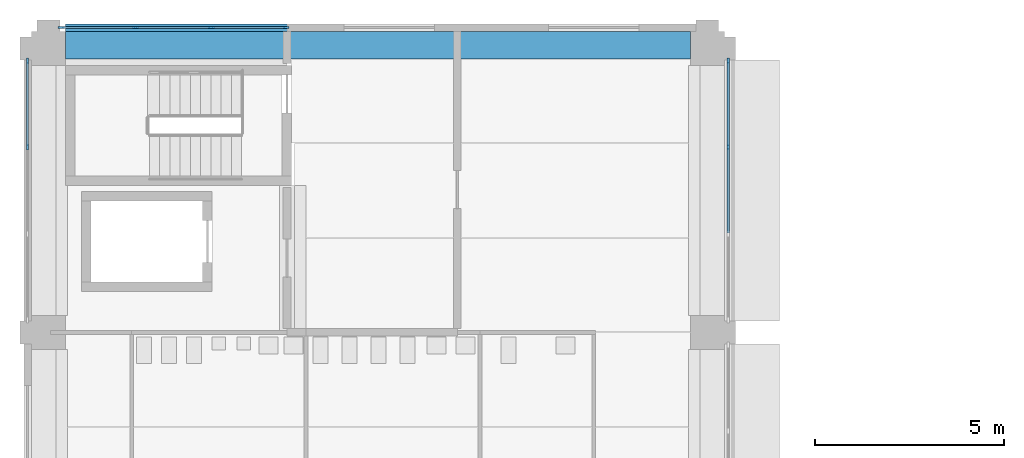
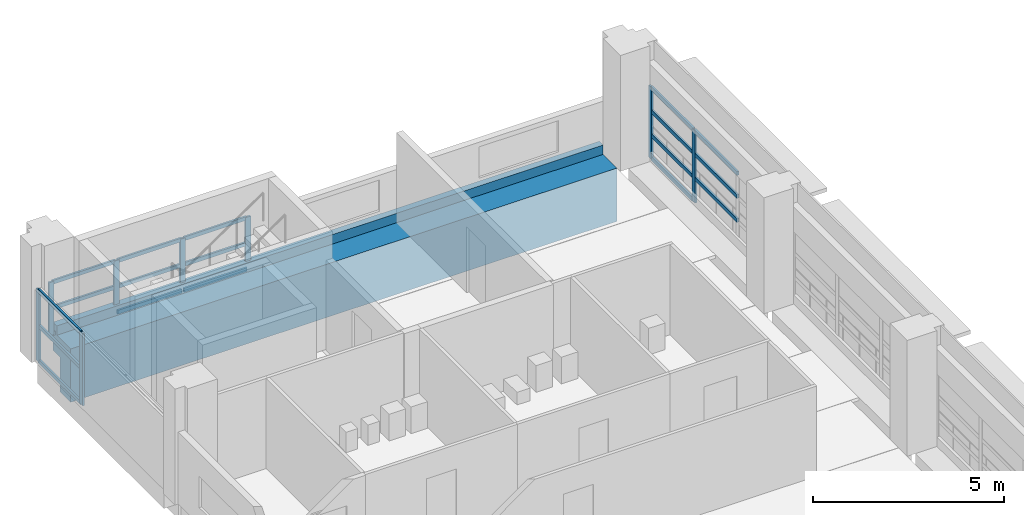
# One storey, part 11 of 57: 27 members, 1 beam, 3 elements without a shape of their own.
"""IFC4 building model written with IfcOpenShell, lengths in metres."""

from ifc_helpers import new_model, si_unit, direction, frame, origin, origin_2d, place, context, subcontext, project, spatial, polyline, rectangle, outline, extrude, material, layer, layer_set, material_profile, profile_set, type_object, element, aggregate, save


model = new_model("IFC4")

# Units and contexts
model_context = context("Model", 3, precision=1e-05, world=origin(), true_north=direction((0.0, 1.0)))
body_context = subcontext(model_context, "Body", "Model", "MODEL_VIEW")
ifc_project = project(units=[si_unit("LENGTHUNIT", "METRE"), si_unit("AREAUNIT", "SQUARE_METRE"), si_unit("VOLUMEUNIT", "CUBIC_METRE"), si_unit("PLANEANGLEUNIT", "RADIAN"), si_unit("MASSUNIT", "GRAM", prefix="KILO")], contexts=[model_context])

# Site, building, storey
site_placement = place(None, origin())
site = spatial("IfcSite", under=ifc_project, at=site_placement, CompositionType="ELEMENT")
building_placement = place(site_placement, origin())
building = spatial("IfcBuilding", under=site, at=building_placement, Name="Cour d'Honneur Mobility Palace", CompositionType="ELEMENT")
storey_placement = place(building_placement, frame((0.0, 0.0, 8.199951171875)))
storey = spatial("IfcBuildingStorey", under=building, at=storey_placement, Name="L02", CompositionType="ELEMENT", Elevation=8.199951171875)

# Curtain wall, members
ifc_material_1 = material(Name="Aluminium and glass", Category="aluminium")
ifc_layer = layer(ifc_material_1, 0.10009765625)
ifc_layer_set = layer_set([ifc_layer], Name="Aluminium and glass")
curtain_wall_type = type_object("IfcCurtainWallType", Name="Curtain wall run", PredefinedType="NOTDEFINED", material=ifc_layer_set)
curtain_wall_1_placement = place(storey_placement, origin())
curtain_wall_1 = element("IfcCurtainWall", 1, at=curtain_wall_1_placement, inside=storey, type_object=curtain_wall_type, Name="Curtain wall CW-29", PredefinedType="NOTDEFINED")
ifc_material_2 = material(Name="Aluminium", Category="aluminium")
ifc_material_profile_1 = material_profile(ifc_material_2, rectangle(XDim=0.06005859375, YDim=0.159912109375, at=origin_2d()), Name="Curtain wall mullion")
ifc_profile_set_1 = profile_set([ifc_material_profile_1], Name="Aluminium")
member_type_1 = type_object("IfcMemberType", Name="Curtain wall mullion", PredefinedType="MULLION", material=ifc_profile_set_1)
member_1_placement = place(storey_placement, frame((17.949951171875, 112.300048828125, 0.0), z_axis=(0.0, 0.0, 1.0), x_axis=(-1.0, 0.0, 0.0)))
member_1 = element("IfcMember", 2, at=member_1_placement, type_object=member_type_1, Name="CW-29 mullion 3", PredefinedType="MULLION", context=body_context, shape_type="SweptSolid", body=[
    extrude(rectangle(XDim=0.06005859375, YDim=0.159912109375, at=origin_2d()), origin(), (0.0, 0.0, 1.0), 2.300048828125),
])
member_2_placement = place(storey_placement, frame((17.949951171875, 114.570068359375, 0.0), z_axis=(0.0, 0.0, 1.0), x_axis=(-1.0, 0.0, 0.0)))
member_2 = element("IfcMember", 3, at=member_2_placement, type_object=member_type_1, Name="CW-29 mullion 4", PredefinedType="MULLION", context=body_context, shape_type="SweptSolid", body=[
    extrude(rectangle(XDim=0.06005859375, YDim=0.159912109375, at=origin_2d()), origin(), (0.0, 0.0, 1.0), 2.300048828125),
])

curtain_wall_2_placement = place(storey_placement, origin())
curtain_wall_2 = element("IfcCurtainWall", 4, at=curtain_wall_2_placement, inside=storey, type_object=curtain_wall_type, Name="Curtain wall CW-126", PredefinedType="NOTDEFINED")
member_3_placement = place(storey_placement, frame((6.27001953125, 115.449951171875, 0.0), z_axis=(0.0, 0.0, 1.0), x_axis=(0.0, -1.0, 0.0)))
member_3 = element("IfcMember", 5, at=member_3_placement, type_object=member_type_1, Name="CW-126 mullion 1", PredefinedType="MULLION", context=body_context, shape_type="SweptSolid", body=[
    extrude(rectangle(XDim=0.06005859375, YDim=0.159912109375, at=origin_2d()), origin(), (0.0, 0.0, 1.0), 1.699951171875),
])
member_4_placement = place(storey_placement, frame((4.300048828125, 115.449951171875, 0.0), z_axis=(0.0, 0.0, 1.0), x_axis=(0.0, -1.0, 0.0)))
member_4 = element("IfcMember", 6, at=member_4_placement, type_object=member_type_1, Name="CW-126 mullion 2", PredefinedType="MULLION", context=body_context, shape_type="SweptSolid", body=[
    extrude(rectangle(XDim=0.06005859375, YDim=0.159912109375, at=origin_2d()), origin(), (0.0, 0.0, 1.0), 1.699951171875),
])
member_5_placement = place(storey_placement, frame((2.300048828125, 115.449951171875, 0.0), z_axis=(0.0, 0.0, 1.0), x_axis=(0.0, -1.0, 0.0)))
member_5 = element("IfcMember", 7, at=member_5_placement, type_object=member_type_1, Name="CW-126 mullion 3", PredefinedType="MULLION", context=body_context, shape_type="SweptSolid", body=[
    extrude(rectangle(XDim=0.06005859375, YDim=0.159912109375, at=origin_2d()), origin(), (0.0, 0.0, 1.0), 1.699951171875),
])
member_6_placement = place(storey_placement, frame((0.330078125, 115.449951171875, 0.0), z_axis=(0.0, 0.0, 1.0), x_axis=(0.0, -1.0, 0.0)))
member_6 = element("IfcMember", 8, at=member_6_placement, type_object=member_type_1, Name="CW-126 mullion 4", PredefinedType="MULLION", context=body_context, shape_type="SweptSolid", body=[
    extrude(rectangle(XDim=0.06005859375, YDim=0.159912109375, at=origin_2d()), origin(), (0.0, 0.0, 1.0), 1.699951171875),
])

curtain_wall_3_placement = place(storey_placement, origin())
curtain_wall_3 = element("IfcCurtainWall", 9, at=curtain_wall_3_placement, inside=storey, type_object=curtain_wall_type, Name="Curtain wall CW-127", PredefinedType="NOTDEFINED")
member_7_placement = place(storey_placement, frame((-0.550048828125, 114.570068359375, 0.0), z_axis=(0.0, 0.0, 1.0), x_axis=(1.0, 0.0, 0.0)))
member_7 = element("IfcMember", 10, at=member_7_placement, type_object=member_type_1, Name="CW-127 mullion 1", PredefinedType="MULLION", context=body_context, shape_type="SweptSolid", body=[
    extrude(rectangle(XDim=0.06005859375, YDim=0.159912109375, at=origin_2d()), origin(), (0.0, 0.0, 1.0), 2.300048828125),
])
member_8_placement = place(storey_placement, frame((-0.550048828125, 112.300048828125, 0.0), z_axis=(0.0, 0.0, 1.0), x_axis=(1.0, 0.0, 0.0)))
member_8 = element("IfcMember", 11, at=member_8_placement, type_object=member_type_1, Name="CW-127 mullion 2", PredefinedType="MULLION", context=body_context, shape_type="SweptSolid", body=[
    extrude(rectangle(XDim=0.06005859375, YDim=0.159912109375, at=origin_2d()), origin(), (0.0, 0.0, 1.0), 2.300048828125),
])

# Member
ifc_material_3 = material(Name="Aluminium", Category="aluminium")
ifc_material_profile_2 = material_profile(ifc_material_3, rectangle(XDim=0.06005859375, YDim=0.1201171875, at=origin_2d()), Name="Curtain wall transom")
ifc_profile_set_2 = profile_set([ifc_material_profile_2], Name="Aluminium")
member_type_2 = type_object("IfcMemberType", Name="Curtain wall transom", PredefinedType="USERDEFINED", material=ifc_profile_set_2)
member_9_placement = place(storey_placement, frame((17.949951171875, 110.030029296875, 0.7666015625), z_axis=(0.0, 1.0, 0.0), x_axis=(-1.0, 0.0, 0.0)))
member_9 = element("IfcMember", 12, at=member_9_placement, type_object=member_type_2, Name="CW-29 transom 2.2", ObjectType="TRANSOM", PredefinedType="USERDEFINED", context=body_context, shape_type="SweptSolid", body=[
    extrude(rectangle(XDim=0.06005859375, YDim=0.1201171875, at=origin_2d()), origin(), (0.0, 0.0, 1.0), 2.239990234375),
])

member_10_placement = place(storey_placement, frame((17.949951171875, 110.030029296875, 1.533447265625), z_axis=(0.0, 1.0, 0.0), x_axis=(-1.0, 0.0, 0.0)))
member_10 = element("IfcMember", 13, at=member_10_placement, type_object=member_type_2, Name="CW-29 transom 2.3", ObjectType="TRANSOM", PredefinedType="USERDEFINED", context=body_context, shape_type="SweptSolid", body=[
    extrude(rectangle(XDim=0.06005859375, YDim=0.1201171875, at=origin_2d()), origin(), (0.0, 0.0, 1.0), 2.239990234375),
])

member_11_placement = place(storey_placement, frame((17.949951171875, 110.030029296875, 2.27001953125), z_axis=(0.0, 1.0, 0.0), x_axis=(-1.0, 0.0, 0.0)))
member_11 = element("IfcMember", 14, at=member_11_placement, type_object=member_type_2, Name="CW-29 transom 2.4", ObjectType="TRANSOM", PredefinedType="USERDEFINED", context=body_context, shape_type="SweptSolid", body=[
    extrude(rectangle(XDim=0.06005859375, YDim=0.1201171875, at=origin_2d()), origin(), (0.0, 0.0, 1.0), 2.239990234375),
])

member_12_placement = place(storey_placement, frame((17.949951171875, 112.330078125, 0.030029296875), z_axis=(0.0, 1.0, 0.0), x_axis=(-1.0, 0.0, 0.0)))
member_12 = element("IfcMember", 15, at=member_12_placement, type_object=member_type_2, Name="CW-29 transom 3.1", ObjectType="TRANSOM", PredefinedType="USERDEFINED", context=body_context, shape_type="SweptSolid", body=[
    extrude(rectangle(XDim=0.06005859375, YDim=0.1201171875, at=origin_2d()), origin(), (0.0, 0.0, 1.0), 2.2099609375),
])

member_13_placement = place(storey_placement, frame((17.949951171875, 112.330078125, 0.7666015625), z_axis=(0.0, 1.0, 0.0), x_axis=(-1.0, 0.0, 0.0)))
member_13 = element("IfcMember", 16, at=member_13_placement, type_object=member_type_2, Name="CW-29 transom 3.2", ObjectType="TRANSOM", PredefinedType="USERDEFINED", context=body_context, shape_type="SweptSolid", body=[
    extrude(rectangle(XDim=0.06005859375, YDim=0.1201171875, at=origin_2d()), origin(), (0.0, 0.0, 1.0), 2.2099609375),
])

member_14_placement = place(storey_placement, frame((17.949951171875, 112.330078125, 1.533447265625), z_axis=(0.0, 1.0, 0.0), x_axis=(-1.0, 0.0, 0.0)))
member_14 = element("IfcMember", 17, at=member_14_placement, type_object=member_type_2, Name="CW-29 transom 3.3", ObjectType="TRANSOM", PredefinedType="USERDEFINED", context=body_context, shape_type="SweptSolid", body=[
    extrude(rectangle(XDim=0.06005859375, YDim=0.1201171875, at=origin_2d()), origin(), (0.0, 0.0, 1.0), 2.2099609375),
])

member_15_placement = place(storey_placement, frame((17.949951171875, 112.330078125, 2.27001953125), z_axis=(0.0, 1.0, 0.0), x_axis=(-1.0, 0.0, 0.0)))
member_15 = element("IfcMember", 18, at=member_15_placement, type_object=member_type_2, Name="CW-29 transom 3.4", ObjectType="TRANSOM", PredefinedType="USERDEFINED", context=body_context, shape_type="SweptSolid", body=[
    extrude(rectangle(XDim=0.06005859375, YDim=0.1201171875, at=origin_2d()), origin(), (0.0, 0.0, 1.0), 2.2099609375),
])

aggregate(curtain_wall_1, [member_1, member_2, member_9, member_10, member_11, member_12, member_13, member_14, member_15])

member_16_placement = place(storey_placement, frame((6.239990234375, 115.449951171875, 0.030029296875), z_axis=(-1.0, 0.0, 0.0), x_axis=(0.0, -1.0, 0.0)))
member_16 = element("IfcMember", 19, at=member_16_placement, type_object=member_type_2, Name="CW-126 transom 1.1", ObjectType="TRANSOM", PredefinedType="USERDEFINED", context=body_context, shape_type="SweptSolid", body=[
    extrude(rectangle(XDim=0.06005859375, YDim=0.1201171875, at=origin_2d()), origin(), (0.0, 0.0, 1.0), 1.909912109375),
])

member_17_placement = place(storey_placement, frame((6.239990234375, 115.449951171875, 0.85009765625), z_axis=(-1.0, 0.0, 0.0), x_axis=(0.0, -1.0, 0.0)))
member_17 = element("IfcMember", 20, at=member_17_placement, type_object=member_type_2, Name="CW-126 transom 1.2", ObjectType="TRANSOM", PredefinedType="USERDEFINED", context=body_context, shape_type="SweptSolid", body=[
    extrude(rectangle(XDim=0.06005859375, YDim=0.1201171875, at=origin_2d()), origin(), (0.0, 0.0, 1.0), 1.909912109375),
])

member_18_placement = place(storey_placement, frame((6.239990234375, 115.449951171875, 1.670166015625), z_axis=(-1.0, 0.0, 0.0), x_axis=(0.0, -1.0, 0.0)))
member_18 = element("IfcMember", 21, at=member_18_placement, type_object=member_type_2, Name="CW-126 transom 1.3", ObjectType="TRANSOM", PredefinedType="USERDEFINED", context=body_context, shape_type="SweptSolid", body=[
    extrude(rectangle(XDim=0.06005859375, YDim=0.1201171875, at=origin_2d()), origin(), (0.0, 0.0, 1.0), 1.909912109375),
])

member_19_placement = place(storey_placement, frame((4.27001953125, 115.449951171875, 0.030029296875), z_axis=(-1.0, 0.0, 0.0), x_axis=(0.0, -1.0, 0.0)))
member_19 = element("IfcMember", 22, at=member_19_placement, type_object=member_type_2, Name="CW-126 transom 2.1", ObjectType="TRANSOM", PredefinedType="USERDEFINED", context=body_context, shape_type="SweptSolid", body=[
    extrude(rectangle(XDim=0.06005859375, YDim=0.1201171875, at=origin_2d()), origin(), (0.0, 0.0, 1.0), 1.93994140625),
])

member_20_placement = place(storey_placement, frame((4.27001953125, 115.449951171875, 0.85009765625), z_axis=(-1.0, 0.0, 0.0), x_axis=(0.0, -1.0, 0.0)))
member_20 = element("IfcMember", 23, at=member_20_placement, type_object=member_type_2, Name="CW-126 transom 2.2", ObjectType="TRANSOM", PredefinedType="USERDEFINED", context=body_context, shape_type="SweptSolid", body=[
    extrude(rectangle(XDim=0.06005859375, YDim=0.1201171875, at=origin_2d()), origin(), (0.0, 0.0, 1.0), 1.93994140625),
])

member_21_placement = place(storey_placement, frame((4.27001953125, 115.449951171875, 1.670166015625), z_axis=(-1.0, 0.0, 0.0), x_axis=(0.0, -1.0, 0.0)))
member_21 = element("IfcMember", 24, at=member_21_placement, type_object=member_type_2, Name="CW-126 transom 2.3", ObjectType="TRANSOM", PredefinedType="USERDEFINED", context=body_context, shape_type="SweptSolid", body=[
    extrude(rectangle(XDim=0.06005859375, YDim=0.1201171875, at=origin_2d()), origin(), (0.0, 0.0, 1.0), 1.93994140625),
])

member_22_placement = place(storey_placement, frame((2.27001953125, 115.449951171875, 0.030029296875), z_axis=(-1.0, 0.0, 0.0), x_axis=(0.0, -1.0, 0.0)))
member_22 = element("IfcMember", 25, at=member_22_placement, type_object=member_type_2, Name="CW-126 transom 3.1", ObjectType="TRANSOM", PredefinedType="USERDEFINED", context=body_context, shape_type="SweptSolid", body=[
    extrude(rectangle(XDim=0.06005859375, YDim=0.1201171875, at=origin_2d()), origin(), (0.0, 0.0, 1.0), 1.909912109375),
])

member_23_placement = place(storey_placement, frame((2.27001953125, 115.449951171875, 0.85009765625), z_axis=(-1.0, 0.0, 0.0), x_axis=(0.0, -1.0, 0.0)))
member_23 = element("IfcMember", 26, at=member_23_placement, type_object=member_type_2, Name="CW-126 transom 3.2", ObjectType="TRANSOM", PredefinedType="USERDEFINED", context=body_context, shape_type="SweptSolid", body=[
    extrude(rectangle(XDim=0.06005859375, YDim=0.1201171875, at=origin_2d()), origin(), (0.0, 0.0, 1.0), 1.909912109375),
])

member_24_placement = place(storey_placement, frame((2.27001953125, 115.449951171875, 1.670166015625), z_axis=(-1.0, 0.0, 0.0), x_axis=(0.0, -1.0, 0.0)))
member_24 = element("IfcMember", 27, at=member_24_placement, type_object=member_type_2, Name="CW-126 transom 3.3", ObjectType="TRANSOM", PredefinedType="USERDEFINED", context=body_context, shape_type="SweptSolid", body=[
    extrude(rectangle(XDim=0.06005859375, YDim=0.1201171875, at=origin_2d()), origin(), (0.0, 0.0, 1.0), 1.909912109375),
])

aggregate(curtain_wall_2, [member_3, member_4, member_5, member_6, member_16, member_17, member_18, member_19, member_20, member_21, member_22, member_23, member_24])

member_25_placement = place(storey_placement, frame((-0.550048828125, 114.5400390625, 0.030029296875), z_axis=(0.0, -1.0, 0.0), x_axis=(1.0, 0.0, 0.0)))
member_25 = element("IfcMember", 28, at=member_25_placement, type_object=member_type_2, Name="CW-127 transom 1.1", ObjectType="TRANSOM", PredefinedType="USERDEFINED", context=body_context, shape_type="SweptSolid", body=[
    extrude(rectangle(XDim=0.06005859375, YDim=0.1201171875, at=origin_2d()), origin(), (0.0, 0.0, 1.0), 2.2099609375),
])

member_26_placement = place(storey_placement, frame((-0.550048828125, 114.5400390625, 1.150146484375), z_axis=(0.0, -1.0, 0.0), x_axis=(1.0, 0.0, 0.0)))
member_26 = element("IfcMember", 29, at=member_26_placement, type_object=member_type_2, Name="CW-127 transom 1.2", ObjectType="TRANSOM", PredefinedType="USERDEFINED", context=body_context, shape_type="SweptSolid", body=[
    extrude(rectangle(XDim=0.06005859375, YDim=0.1201171875, at=origin_2d()), origin(), (0.0, 0.0, 1.0), 2.2099609375),
])

member_27_placement = place(storey_placement, frame((-0.550048828125, 114.5400390625, 2.27001953125), z_axis=(0.0, -1.0, 0.0), x_axis=(1.0, 0.0, 0.0)))
member_27 = element("IfcMember", 30, at=member_27_placement, type_object=member_type_2, Name="CW-127 transom 1.3", ObjectType="TRANSOM", PredefinedType="USERDEFINED", context=body_context, shape_type="SweptSolid", body=[
    extrude(rectangle(XDim=0.06005859375, YDim=0.1201171875, at=origin_2d()), origin(), (0.0, 0.0, 1.0), 2.2099609375),
])

aggregate(curtain_wall_3, [member_7, member_8, member_25, member_26, member_27])

# Beam
ifc_material_4 = material(Name="Concrete C45", Category="concrete")
ifc_material_profile_3 = material_profile(ifc_material_4, outline(polyline([(0.27490234375, -1.699951171875), (0.27490234375, -0.60009765625), (0.64990234375, -0.60009765625), (0.64990234375, 0.300048828125), (0.449951171875, 0.300048828125), (0.449951171875, 0.0), (0.27490234375, 0.0), (-0.27490234375, 0.0), (-0.27490234375, -1.699951171875), (0.27490234375, -1.699951171875)])), Name="Edge Spandrel Beam 550x1700 no ledge facade left")
ifc_profile_set_3 = profile_set([ifc_material_profile_3], Name="Concrete C45")
beam_type = type_object("IfcBeamType", Name="Edge Spandrel Beam 550x1700 no ledge facade left", PredefinedType="SPANDREL", material=ifc_profile_set_3)
beam_placement = place(storey_placement, frame((0.449951171875, 114.89990234375, 0.0), z_axis=(1.0, 0.0, 0.0), x_axis=(0.0, 1.0, 0.0)))
element("IfcBeam", 31, at=beam_placement, inside=storey, type_object=beam_type, Name="Precast beam B7 1-2 L02", PredefinedType="SPANDREL", context=body_context, shape_type="SweptSolid", body=[
    extrude(outline(polyline([(0.27490234375, -1.699951171875), (0.27490234375, -0.60009765625), (0.64990234375, -0.60009765625), (0.64990234375, 0.300048828125), (0.449951171875, 0.300048828125), (0.449951171875, 0.0), (0.27490234375, 0.0), (-0.27490234375, 0.0), (-0.27490234375, -1.699951171875), (0.27490234375, -1.699951171875)])), origin(), (0.0, 0.0, 1.0), 16.5),
])

save(model, "model.ifc")
